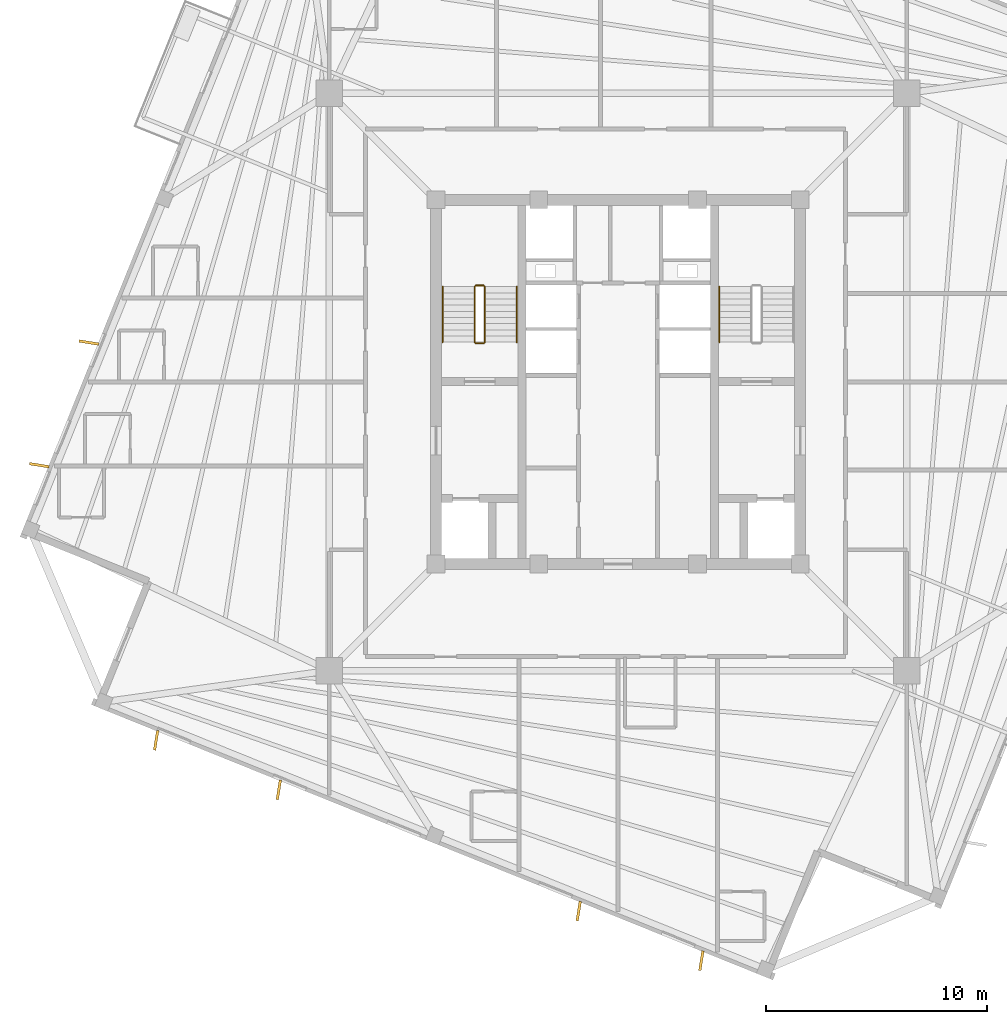
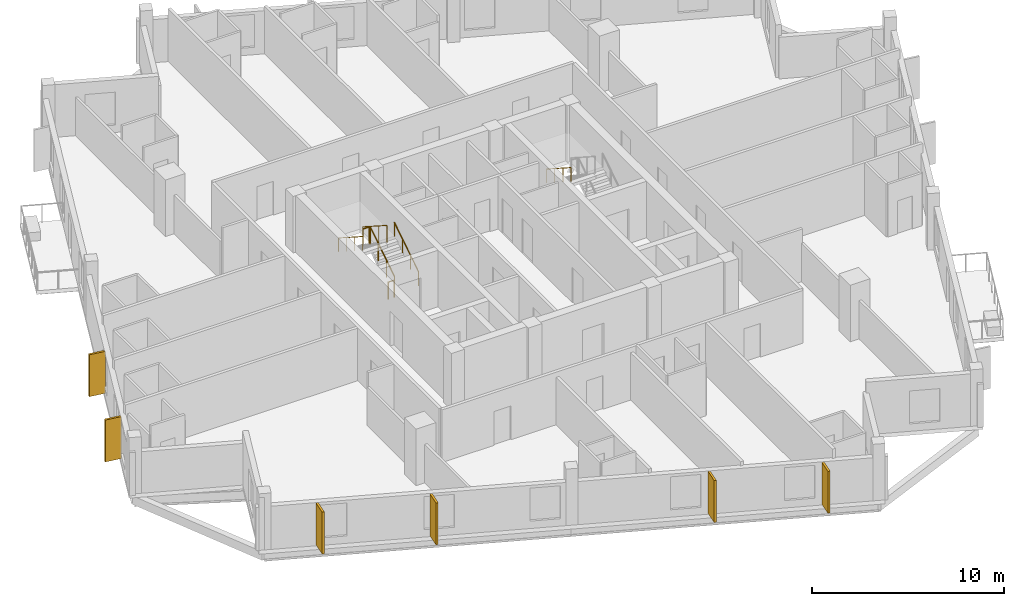
# One storey, part 7 of 9: 7 railings, 6 coverings.
"""IFC4 building model written with IfcOpenShell, lengths in metres."""

from ifc_helpers import new_model, si_unit, direction, frame, origin, origin_2d, place, context, subcontext, project, spatial, rectangle, circle, extrude, source, transform, mapped, material, layer, layer_set, type_object, element, save


model = new_model("IFC4")

# Units and contexts
model_context = context("Model", 3, precision=1e-05, world=origin(), true_north=direction((0.0, 1.0)))
body_context = subcontext(model_context, "Body", "Model", "MODEL_VIEW")
ifc_project = project(units=[si_unit("LENGTHUNIT", "METRE"), si_unit("AREAUNIT", "SQUARE_METRE"), si_unit("VOLUMEUNIT", "CUBIC_METRE"), si_unit("PLANEANGLEUNIT", "RADIAN"), si_unit("MASSUNIT", "GRAM", prefix="KILO"), si_unit("THERMODYNAMICTEMPERATUREUNIT", "KELVIN")], contexts=[model_context])

# Site, building, storey
site_placement = place(None, origin())
site = spatial("IfcSite", under=ifc_project, at=site_placement, CompositionType="ELEMENT")
building_placement = place(site_placement, origin())
building = spatial("IfcBuilding", under=site, at=building_placement, Name="Kosmvard Interchange Tower", CompositionType="ELEMENT")
storey_placement = place(building_placement, frame((0.0, 0.0, 283.199951171875)))
storey = spatial("IfcBuildingStorey", under=building, at=storey_placement, Name="L69", CompositionType="ELEMENT", Elevation=283.199951171875)

# Coverings
ifc_material_1 = material(Name="Architectural anodised aluminium", Category="aluminium")
ifc_layer = layer(ifc_material_1, 0.1201171875, Name="Architectural anodised aluminium")
ifc_layer_set = layer_set([ifc_layer], Name="Architectural anodised aluminium")
covering_type = type_object("IfcCoveringType", Name="Rotating Vertical Sun-Breaker Fin 900x120 Aluminium", PredefinedType="CLADDING", material=ifc_layer_set)
shared_shape_1 = source(origin(), body_context, "Body", "SweptSolid", [
    extrude(rectangle(XDim=0.89990234375, YDim=0.1201171875, at=origin_2d()), origin(), (0.0, 0.0, 1.0), 2.669921875),
])
for number, where, z_axis, x_axis, name in (
    (1, (-23.977783203125, 1.783935546875, 0.0400390625), (0.0, 0.0, 1.0), (-0.987275411839, 0.159019688023, 0.0), "L69 Rotating Vertical Sun-Breaker Fin 09"),
    (2, (-26.223876953125, -3.775390625, 0.0400390625), (0.0, 0.0, 1.0), (-0.987275411839, 0.159019688023, 0.0), "L69 Rotating Vertical Sun-Breaker Fin 10"),
    (3, (-20.932373046875, -16.2412109375, 0.0400390625), (0.0, 0.0, 1.0), (-0.159019688023, -0.987275411839, 0.0), "L69 Rotating Vertical Sun-Breaker Fin 11"),
    (4, (-15.373046875, -18.4873046875, 0.0400390625), (0.0, 0.0, 1.0), (-0.159019688023, -0.987275411839, 0.0), "L69 Rotating Vertical Sun-Breaker Fin 12"),
    (5, (-1.783935546875, -23.977783203125, 0.0400390625), (0.0, 0.0, 1.0), (-0.159019688023, -0.987275411839, 0.0), "L69 Rotating Vertical Sun-Breaker Fin 13"),
    (6, (3.775390625, -26.223876953125, 0.0400390625), (0.0, 0.0, 1.0), (-0.159019688023, -0.987275411839, 0.0), "L69 Rotating Vertical Sun-Breaker Fin 14"),
):
    element("IfcCovering", number, at=place(storey_placement, frame(where, z_axis=z_axis, x_axis=x_axis)), inside=storey, type_object=covering_type, Name=name, PredefinedType="CLADDING", context=body_context, shape_type="MappedRepresentation", body=[
        mapped(shared_shape_1, transform((0.0, 0.0, 0.0), scale=1.0)),
    ])

# Railings
ifc_material_2 = material(Name="Steel S355", Category="steel")
railing_type_1 = type_object("IfcRailingType", Name="Stair & Terrace Safety Guardrail 1100 Steel", PredefinedType="GUARDRAIL", material=ifc_material_2)
shared_shape_2 = source(origin(), body_context, "Body", "SweptSolid", [
    extrude(circle(Radius=0.02392578125, at=origin_2d()), frame((0.0, 0.0, 1.076171875), z_axis=(-1.0, 0.0, 0.0), x_axis=(0.0, -1.0, 0.0)), (0.0, 0.0, 1.0), 0.35986328125),
    extrude(circle(Radius=0.02099609375, at=origin_2d()), origin(), (0.0, 0.0, 1.0), 1.052001953125),
    extrude(circle(Radius=0.02099609375, at=origin_2d()), frame((-0.35986328125, 0.0, 0.0)), (0.0, 0.0, 1.0), 1.052001953125),
])
for number, where, name in (
    (7, (-6.090087890625, 4.3701171875, 1.800048828125), "L69 ST-1 stair guard 2"),
    (8, (-6.090087890625, 1.75, 0.0), "L69 ST-1 stair guard 4"),
):
    element("IfcRailing", number, at=place(storey_placement, frame(where)), inside=storey, type_object=railing_type_1, Name=name, PredefinedType="GUARDRAIL", context=body_context, shape_type="MappedRepresentation", body=[
        mapped(shared_shape_2, transform((0.0, 0.0, 0.0), scale=1.0)),
    ])
shared_shape_3 = source(origin(), body_context, "Body", "SweptSolid", [
    extrude(circle(Radius=0.02392578125, at=origin_2d()), frame((0.0, 0.0, 1.076171875), z_axis=(0.0, 0.841162588446, 0.540782303519), x_axis=(-1.0, 0.0, 0.0)), (0.0, 0.0, 1.0), 2.995849609375),
    extrude(circle(Radius=0.02099609375, at=origin_2d()), origin(), (0.0, 0.0, 1.0), 1.052001953125),
    extrude(circle(Radius=0.02099609375, at=origin_2d()), frame((0.0, 0.840087890625, 0.5400390625)), (0.0, 0.0, 1.0), 1.052001953125),
    extrude(circle(Radius=0.02099609375, at=origin_2d()), frame((0.0, 1.679931640625, 1.080078125)), (0.0, 0.0, 1.0), 1.052001953125),
    extrude(circle(Radius=0.02099609375, at=origin_2d()), frame((0.0, 2.52001953125, 1.6201171875)), (0.0, 0.0, 1.0), 1.052001953125),
])
railing_1_placement = place(storey_placement, frame((-6.0400390625, 1.800048828125, 0.179931640625)))
element("IfcRailing", 9, at=railing_1_placement, inside=storey, type_object=railing_type_1, Name="L69 ST-1 stair guard 1", PredefinedType="GUARDRAIL", context=body_context, shape_type="MappedRepresentation", body=[
    mapped(shared_shape_3, transform((0.0, 0.0, 0.0), scale=1.0)),
])
shared_shape_4 = source(origin(), body_context, "Body", "SweptSolid", [
    extrude(circle(Radius=0.02392578125, at=origin_2d()), frame((0.0, 0.0, 1.076171875), z_axis=(0.0, -0.841162588446, 0.540782303519), x_axis=(1.0, 0.0, 0.0)), (0.0, 0.0, 1.0), 2.995849609375),
    extrude(circle(Radius=0.02099609375, at=origin_2d()), origin(), (0.0, 0.0, 1.0), 1.052001953125),
    extrude(circle(Radius=0.02099609375, at=origin_2d()), frame((0.0, -0.840087890625, 0.5400390625)), (0.0, 0.0, 1.0), 1.052001953125),
    extrude(circle(Radius=0.02099609375, at=origin_2d()), frame((0.0, -1.679931640625, 1.080078125)), (0.0, 0.0, 1.0), 1.052001953125),
    extrude(circle(Radius=0.02099609375, at=origin_2d()), frame((0.0, -2.52001953125, 1.6201171875)), (0.0, 0.0, 1.0), 1.052001953125),
])
railing_2_placement = place(storey_placement, frame((-6.5, 4.320068359375, 1.97998046875)))
element("IfcRailing", 10, at=railing_2_placement, inside=storey, type_object=railing_type_1, Name="L69 ST-1 stair guard 3", PredefinedType="GUARDRAIL", context=body_context, shape_type="MappedRepresentation", body=[
    mapped(shared_shape_4, transform((0.0, 0.0, 0.0), scale=1.0)),
])
railing_type_2 = type_object("IfcRailingType", Name="Wall-Mounted Stair Handrail 900 Steel", PredefinedType="HANDRAIL", material=ifc_material_2)
shared_shape_5 = source(origin(), body_context, "Body", "SweptSolid", [
    extrude(circle(Radius=0.02392578125, at=origin_2d()), frame((0.0, 0.0, 0.8759765625), z_axis=(0.0, 0.841162588446, 0.540782303519), x_axis=(-1.0, 0.0, 0.0)), (0.0, 0.0, 1.0), 2.995849609375),
    extrude(circle(Radius=0.02099609375, at=origin_2d()), origin(), (0.0, 0.0, 1.0), 0.851806640625),
    extrude(circle(Radius=0.02099609375, at=origin_2d()), frame((0.0, 0.840087890625, 0.5400390625)), (0.0, 0.0, 1.0), 0.851806640625),
    extrude(circle(Radius=0.02099609375, at=origin_2d()), frame((0.0, 1.679931640625, 1.080078125)), (0.0, 0.0, 1.0), 0.851806640625),
    extrude(circle(Radius=0.02099609375, at=origin_2d()), frame((0.0, 2.52001953125, 1.6201171875)), (0.0, 0.0, 1.0), 0.851806640625),
])
railing_3_placement = place(storey_placement, frame((-4.590087890625, 1.800048828125, 0.179931640625)))
element("IfcRailing", 11, at=railing_3_placement, inside=storey, type_object=railing_type_2, Name="L69 ST-1 stair handrail 1", PredefinedType="HANDRAIL", context=body_context, shape_type="MappedRepresentation", body=[
    mapped(shared_shape_5, transform((0.0, 0.0, 0.0), scale=1.0)),
])
shared_shape_6 = source(origin(), body_context, "Body", "SweptSolid", [
    extrude(circle(Radius=0.02392578125, at=origin_2d()), frame((0.0, 0.0, 0.8759765625), z_axis=(0.0, -0.841162588446, 0.540782303519), x_axis=(1.0, 0.0, 0.0)), (0.0, 0.0, 1.0), 2.995849609375),
    extrude(circle(Radius=0.02099609375, at=origin_2d()), origin(), (0.0, 0.0, 1.0), 0.851806640625),
    extrude(circle(Radius=0.02099609375, at=origin_2d()), frame((0.0, -0.840087890625, 0.5400390625)), (0.0, 0.0, 1.0), 0.851806640625),
    extrude(circle(Radius=0.02099609375, at=origin_2d()), frame((0.0, -1.679931640625, 1.080078125)), (0.0, 0.0, 1.0), 0.851806640625),
    extrude(circle(Radius=0.02099609375, at=origin_2d()), frame((0.0, -2.52001953125, 1.6201171875)), (0.0, 0.0, 1.0), 0.851806640625),
])
for number, where, name in (
    (12, (-7.949951171875, 4.320068359375, 1.97998046875), "L69 ST-1 stair handrail 2"),
    (13, (4.590087890625, 4.320068359375, 1.97998046875), "L69 ST-2 stair handrail 2"),
):
    element("IfcRailing", number, at=place(storey_placement, frame(where)), inside=storey, type_object=railing_type_2, Name=name, PredefinedType="HANDRAIL", context=body_context, shape_type="MappedRepresentation", body=[
        mapped(shared_shape_6, transform((0.0, 0.0, 0.0), scale=1.0)),
    ])

save(model, "model.ifc")
